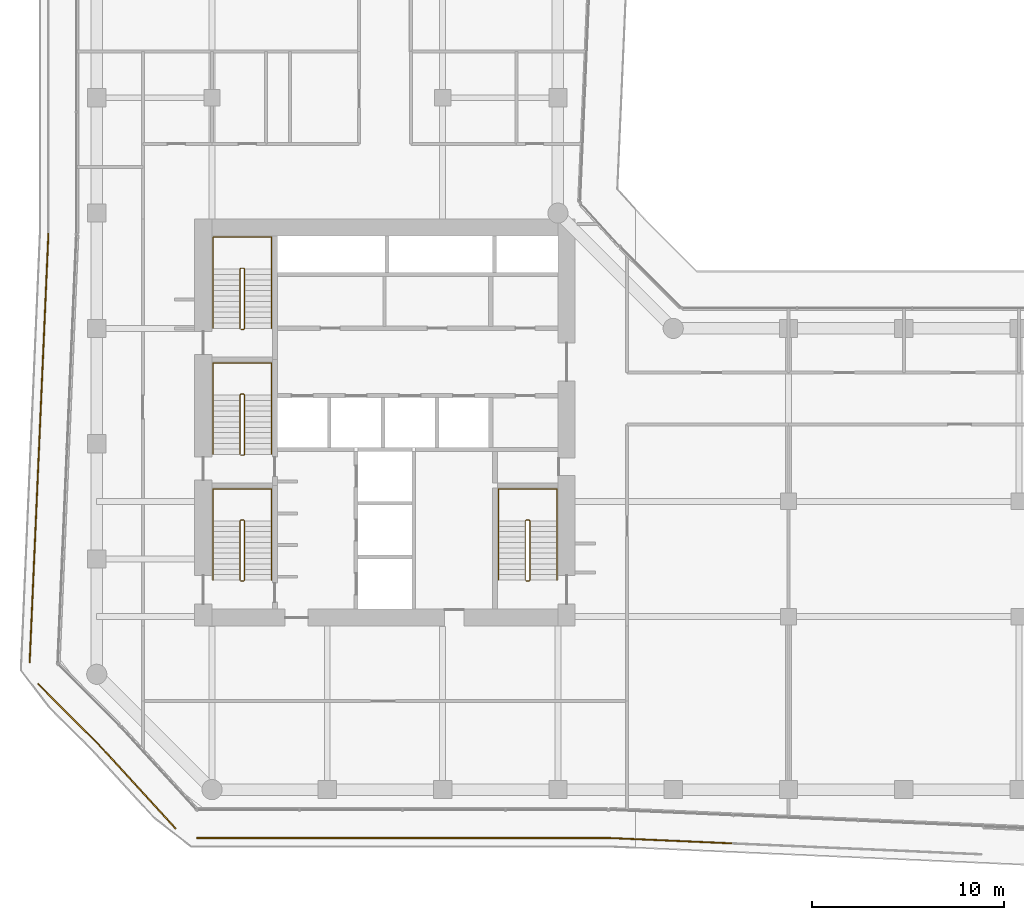
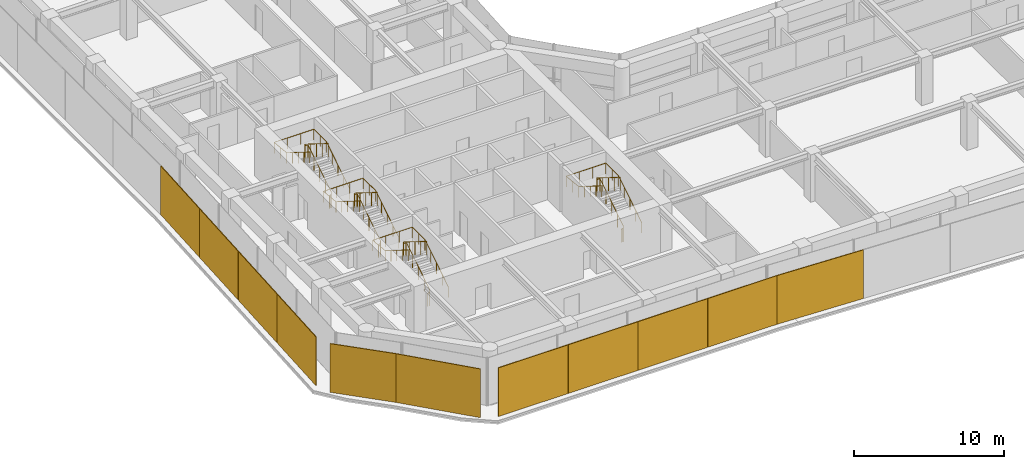
# One storey, part 28 of 29: 11 coverings, 8 railings.
"""IFC4 building model written with IfcOpenShell, lengths in metres."""

import ifcopenshell
import ifcopenshell.guid

model = None  # the IFC model being written
_history = None  # IfcOwnerHistory: only IFC2X3 demands one
_inside = {}  # id of a spatial element -> (the spatial element, [elements in it])
_under = {}  # id of a project, library or spatial element -> (it, [spatial elements below it])
_declared = {}  # id of a project -> (the project, [libraries it declares])
_typed = {}  # id of a type object -> (the type object, [elements of that type])
_made_of = {}  # id of a material, layer set ... -> (it, [elements and type objects made of it])


def new_model(schema):
    """Start an empty IFC model of exactly this schema.

    Asked for "IFC4X3", IfcOpenShell would pick the latest addendum, in which some entities
    have other attributes; the version numbers below select the first issue.
    IFC2X3 requires an IfcOwnerHistory on every rooted entity: one is made here for all.
    """
    global model, _history
    if schema == "IFC4X3":
        model = ifcopenshell.file(schema_version=(4, 3, 0, 0))
    else:
        model = ifcopenshell.file(schema=schema)
    _inside.clear()
    _under.clear()
    _declared.clear()
    _typed.clear()
    _made_of.clear()
    _history = None
    if model.schema == "IFC2X3":
        org = make("IfcOrganization", Name="unknown")
        user = make(
            "IfcPersonAndOrganization",
            ThePerson=make("IfcPerson", FamilyName="unknown"),
            TheOrganization=org,
        )
        app = make(
            "IfcApplication",
            ApplicationDeveloper=org,
            Version="unknown",
            ApplicationFullName="unknown",
            ApplicationIdentifier="unknown",
        )
        _history = make(
            "IfcOwnerHistory",
            OwningUser=user,
            OwningApplication=app,
            ChangeAction="ADDED",
            CreationDate=0,
        )
    return model


def make(cls, **values):
    """One entity of the class cls with the attributes given. An attribute that is None is left unset."""
    return model.create_entity(
        cls, **{name: value for name, value in values.items() if value is not None}
    )


def rooted(cls, **values):
    """An entity with a GlobalId (a new one), such as an element, a storey or a relation."""
    return make(cls, GlobalId=ifcopenshell.guid.new(), OwnerHistory=_history, **values)


def si_unit(unit_type, name, prefix=None):
    """IfcSIUnit, for example si_unit("LENGTHUNIT", "METRE", prefix="MILLI")."""
    return make("IfcSIUnit", UnitType=unit_type, Prefix=prefix, Name=name)


def assignment(units):
    """IfcUnitAssignment: the units of a project."""
    return None if units is None else make("IfcUnitAssignment", Units=units)


def point(xyz):
    """IfcCartesianPoint."""
    return None if xyz is None else make("IfcCartesianPoint", Coordinates=xyz)


def direction(xyz):
    """IfcDirection."""
    return None if xyz is None else make("IfcDirection", DirectionRatios=xyz)


def frame(location, z_axis=None, x_axis=None):
    """IfcAxis2Placement3D, a coordinate frame: its origin and axes. An axis left out is left unset."""
    return make(
        "IfcAxis2Placement3D",
        Location=point(location),
        Axis=direction(z_axis),
        RefDirection=direction(x_axis),
    )


def frame_2d(location, x_axis=None):
    """IfcAxis2Placement2D, a coordinate frame in the plane: its origin and x axis."""
    return make(
        "IfcAxis2Placement2D", Location=point(location), RefDirection=direction(x_axis)
    )


def origin():
    """The frame at (0, 0, 0) with its axes left unset."""
    return frame((0.0, 0.0, 0.0))


def origin_2d():
    """The frame at (0, 0) in the plane with its x axis left unset."""
    return frame_2d((0.0, 0.0))


def place(relative_to, where):
    """IfcLocalPlacement: puts the frame where relative to a parent placement (None: the world)."""
    return make(
        "IfcLocalPlacement", PlacementRelTo=relative_to, RelativePlacement=where
    )


def context(
    kind, dimensions, precision=None, world=None, true_north=None, identifier=None
):
    """IfcGeometricRepresentationContext, for example the 3D "Model" context."""
    return make(
        "IfcGeometricRepresentationContext",
        ContextIdentifier=identifier,
        ContextType=kind,
        CoordinateSpaceDimension=dimensions,
        Precision=precision,
        WorldCoordinateSystem=world,
        TrueNorth=true_north,
    )


def subcontext(parent, identifier, kind, view, scale=None):
    """IfcGeometricRepresentationSubContext, for example "Body" below "Model"."""
    return make(
        "IfcGeometricRepresentationSubContext",
        ContextIdentifier=identifier,
        ContextType=kind,
        ParentContext=parent,
        TargetScale=scale,
        TargetView=view,
    )


def project(units=None, contexts=None):
    """IfcProject with its units and contexts."""
    return rooted(
        "IfcProject",
        Name="project",
        RepresentationContexts=contexts,
        UnitsInContext=assignment(units),
    )


def spatial(cls, under=None, at=None, **own):
    """A site, building, storey or space (cls), placed at a placement, below another one or the project."""
    s = rooted(cls, ObjectPlacement=at, **own)
    if under is not None:
        _under.setdefault(under.id(), (under, []))[1].append(s)
    return s


def profile(cls, at=None, kind="AREA", **sizes):
    """A parametric profile (cls). Its sizes go by their IFC names, for example OverallWidth=200.0."""
    return make(cls, ProfileType=kind, Position=at, **sizes)


def rectangle(**sizes):
    """IfcRectangleProfileDef."""
    return profile("IfcRectangleProfileDef", **sizes)


def circle(**sizes):
    """IfcCircleProfileDef."""
    return profile("IfcCircleProfileDef", **sizes)


def extrude(swept, where, along, depth):
    """IfcExtrudedAreaSolid: the profile swept, set in the frame where, extruded along a direction by depth."""
    return make(
        "IfcExtrudedAreaSolid",
        SweptArea=swept,
        Position=where,
        ExtrudedDirection=direction(along),
        Depth=depth,
    )


def shape(context_of_items, identifier, shape_type, items):
    """IfcShapeRepresentation: the items that make up one representation, for example the "Body"."""
    return make(
        "IfcShapeRepresentation",
        ContextOfItems=context_of_items,
        RepresentationIdentifier=identifier,
        RepresentationType=shape_type,
        Items=items,
    )


def material(Name=None, Category=None):
    """IfcMaterial."""
    return make("IfcMaterial", Name=Name, Category=Category)


def layer(
    of_material, thickness, ventilated=None, Name=None, Category=None, Priority=None
):
    """IfcMaterialLayer: one layer of a wall or slab, of a material (None: an air gap)."""
    return make(
        "IfcMaterialLayer",
        Material=of_material,
        LayerThickness=thickness,
        IsVentilated=ventilated,
        Name=Name,
        Category=Category,
        Priority=Priority,
    )


def layer_set(layers, Name=None):
    """IfcMaterialLayerSet."""
    return make("IfcMaterialLayerSet", MaterialLayers=layers, LayerSetName=Name)


def made_of(thing, what):
    """Note that an element or type object is made of a material, layer set ...; save() writes the relation."""
    if what is not None:
        _made_of.setdefault(what.id(), (what, []))[1].append(thing)
    return thing


def type_object(cls, material=None, **own):
    """A type object (cls), such as IfcWallType, which elements share."""
    return made_of(rooted(cls, **own), material)


def element(
    cls,
    number,
    at=None,
    inside=None,
    cuts=None,
    type_object=None,
    material=None,
    context=None,
    identifier="Body",
    shape_type=None,
    held_by="IfcProductDefinitionShape",
    body=None,
    shapes=None,
    **own,
):
    """One element of the class cls, such as IfcWall. Its Tag is "e" and its number.

    at: its placement. inside: the storey or other place that contains it. cuts: it is an
    opening in that element (IfcRelVoidsElement). A single representation is given by context,
    identifier, shape_type and body (its items); several are given by shapes. held_by: the class
    of the entity that holds the representations. save() writes the other relations.
    """
    e = rooted(cls, Tag="e%d" % number, ObjectPlacement=at, **own)
    if body is not None:
        shapes = [shape(context, identifier, shape_type, body)]
    if shapes is not None:
        e.Representation = make(held_by, Representations=shapes)
    if inside is not None:
        _inside.setdefault(inside.id(), (inside, []))[1].append(e)
    if cuts is not None:
        rooted(
            "IfcRelVoidsElement", RelatingBuildingElement=cuts, RelatedOpeningElement=e
        )
    if type_object is not None:
        _typed.setdefault(type_object.id(), (type_object, []))[1].append(e)
    return made_of(e, material)


def aggregate(whole, parts):
    """IfcRelAggregates: a whole, such as a stair, and the parts it consists of."""
    return rooted("IfcRelAggregates", RelatingObject=whole, RelatedObjects=parts)


def save(model, path):
    """Write the relations noted so far, then the file.

    IfcRelAggregates (storeys below a building ...), IfcRelContainedInSpatialStructure (elements
    in a storey), IfcRelDefinesByType, IfcRelAssociatesMaterial and IfcRelDeclares: one each for
    every whole, place, type object, material and project.
    """
    for whole, parts in _under.values():
        aggregate(whole, parts)
    for where, things in _inside.values():
        rooted(
            "IfcRelContainedInSpatialStructure",
            RelatedElements=things,
            RelatingStructure=where,
        )
    for kind, things in _typed.values():
        rooted("IfcRelDefinesByType", RelatedObjects=things, RelatingType=kind)
    for what, things in _made_of.values():
        rooted("IfcRelAssociatesMaterial", RelatedObjects=things, RelatingMaterial=what)
    for by, libraries in _declared.values():
        rooted("IfcRelDeclares", RelatingContext=by, RelatedDefinitions=libraries)
    model.write(path)


model = new_model("IFC4")

# Units and contexts
model_context = context("Model", 3, precision=1e-05, world=origin(), true_north=direction((0.0, 1.0)))
body_context = subcontext(model_context, "Body", "Model", "MODEL_VIEW")
ifc_project = project(units=[si_unit("LENGTHUNIT", "METRE"), si_unit("AREAUNIT", "SQUARE_METRE"), si_unit("VOLUMEUNIT", "CUBIC_METRE"), si_unit("PLANEANGLEUNIT", "RADIAN"), si_unit("MASSUNIT", "GRAM", prefix="KILO")], contexts=[model_context])

# Site, building, storey
site_placement = place(None, origin())
site = spatial("IfcSite", under=ifc_project, at=site_placement, CompositionType="ELEMENT")
building_placement = place(site_placement, origin())
building = spatial("IfcBuilding", under=site, at=building_placement, Name="Welwitschia Terrace Campus", CompositionType="ELEMENT")
storey_placement = place(building_placement, frame((0.0, 0.0, 41.60009765625)))
storey = spatial("IfcBuildingStorey", under=building, at=storey_placement, Name="L09", CompositionType="ELEMENT", Elevation=41.60009765625)

# Coverings
ifc_material_1 = material(Name="Bronze mesh aluminium screen", Category="aluminium")
ifc_layer = layer(ifc_material_1, 0.06005859375)
ifc_layer_set = layer_set([ifc_layer], Name="Bronze mesh aluminium screen")
covering_type = type_object("IfcCoveringType", Name="Bronze screen 60", PredefinedType="USERDEFINED", material=ifc_layer_set)
for number, where, z_axis, x_axis, name in (
    (1, (-2.63671875, 22.171142578125, 0.0), (0.0, 0.0, 1.0), (-0.043619387365, -0.999048221582, 0.0), "Screen L09.0.0"),
    (2, (-2.880859375, 16.579833984375, 0.0), (0.0, 0.0, 1.0), (-0.043619387365, -0.999048221582, 0.0), "Screen L09.0.1"),
    (3, (-3.125, 10.98876953125, 0.0), (0.0, 0.0, 1.0), (-0.043619387365, -0.999048221582, 0.0), "Screen L09.0.2"),
    (4, (-3.368896484375, 5.3974609375, 0.0), (0.0, 0.0, 1.0), (-0.043619387365, -0.999048221582, 0.0), "Screen L09.0.3"),
):
    element("IfcCovering", number, at=place(storey_placement, frame(where, z_axis=z_axis, x_axis=x_axis)), inside=storey, type_object=covering_type, Name=name, ObjectType="SCREEN", PredefinedType="USERDEFINED", context=body_context, shape_type="SweptSolid", body=[
        extrude(rectangle(XDim=5.57666015625, YDim=0.06005859375, at=origin_2d()), origin(), (0.0, 0.0, 1.0), 3.949951171875),
    ])
covering_1_placement = place(storey_placement, frame((-1.454833984375, -0.103271484375, 0.0), z_axis=(0.0, 0.0, 1.0), x_axis=(0.707106781187, -0.707106781187, 0.0)))
element("IfcCovering", 5, at=covering_1_placement, inside=storey, type_object=covering_type, Name="Screen L09.1.0", ObjectType="SCREEN", PredefinedType="USERDEFINED", context=body_context, shape_type="SweptSolid", body=[
    extrude(rectangle(XDim=4.535400390625, YDim=0.06005859375, at=origin_2d()), origin(), (0.0, 0.0, 1.0), 3.949951171875),
])
covering_2_placement = place(storey_placement, frame((2.1162109375, -3.85546875, 0.0), z_axis=(0.0, 0.0, 1.0), x_axis=(0.675590207616, -0.73727733681, 0.0)))
element("IfcCovering", 6, at=covering_2_placement, inside=storey, type_object=covering_type, Name="Screen L09.2.0", ObjectType="SCREEN", PredefinedType="USERDEFINED", context=body_context, shape_type="SweptSolid", body=[
    extrude(rectangle(XDim=5.914306640625, YDim=0.06005859375, at=origin_2d()), origin(), (0.0, 0.0, 1.0), 3.949951171875),
])
for number, where, z_axis, x_axis, name in (
    (7, (7.874755859375, -6.51611328125, 0.0), (0.0, 0.0, 1.0), (1.0, 0.0, 0.0), "Screen L09.3.0"),
    (8, (13.23291015625, -6.51611328125, 0.0), (0.0, 0.0, 1.0), (1.0, 0.0, 0.0), "Screen L09.3.1"),
    (9, (18.591064453125, -6.51611328125, 0.0), (0.0, 0.0, 1.0), (1.0, 0.0, 0.0), "Screen L09.3.2"),
    (10, (23.94921875, -6.51611328125, 0.0), (0.0, 0.0, 1.0), (1.0, 0.0, 0.0), "Screen L09.3.3"),
):
    element("IfcCovering", number, at=place(storey_placement, frame(where, z_axis=z_axis, x_axis=x_axis)), inside=storey, type_object=covering_type, Name=name, ObjectType="SCREEN", PredefinedType="USERDEFINED", context=body_context, shape_type="SweptSolid", body=[
        extrude(rectangle(XDim=5.338134765625, YDim=0.06005859375, at=origin_2d()), origin(), (0.0, 0.0, 1.0), 3.949951171875),
    ])
covering_3_placement = place(storey_placement, frame((29.814453125, -6.656494140625, 0.0), z_axis=(0.0, 0.0, 1.0), x_axis=(0.999048221582, -0.043619387365, 0.0)))
element("IfcCovering", 11, at=covering_3_placement, inside=storey, type_object=covering_type, Name="Screen L09.4.0", ObjectType="SCREEN", PredefinedType="USERDEFINED", context=body_context, shape_type="SweptSolid", body=[
    extrude(rectangle(XDim=6.48583984375, YDim=0.06005859375, at=origin_2d()), origin(), (0.0, 0.0, 1.0), 3.949951171875),
])

# Railings
ifc_material_2 = material(Name="Steel S355", Category="steel")
railing_type_1 = type_object("IfcRailingType", Name="Stair guard 1100", PredefinedType="GUARDRAIL", material=ifc_material_2)
railing_1_placement = place(storey_placement, frame((7.5, 6.85009765625, 0.0)))
element("IfcRailing", 12, at=railing_1_placement, inside=storey, type_object=railing_type_1, Name="L09 S1 stair guard", PredefinedType="GUARDRAIL", context=body_context, shape_type="SweptSolid", body=[
    extrude(circle(Radius=0.02392578125, at=origin_2d()), frame((0.0, 0.0, 1.076171875), z_axis=(1.0, 0.0, 0.0), x_axis=(0.0, 1.0, 0.0)), (0.0, 0.0, 1.0), 0.14990234375),
    extrude(circle(Radius=0.02392578125, at=origin_2d()), frame((0.14990234375, 0.0, 1.076171875), z_axis=(0.265474339444, 0.264179342666, 0.927217692888), x_axis=(-0.705375805398, 0.708833529934, 0.0)), (0.0, 0.0, 1.0), 0.1884765625),
    extrude(circle(Radius=0.02392578125, at=origin_2d()), frame((0.199951171875, 0.0498046875, 1.2509765625), z_axis=(0.0, 0.847998304005, 0.529998940003), x_axis=(-1.0, 0.0, 0.0)), (0.0, 0.0, 1.0), 3.632080078125),
    extrude(circle(Radius=0.02392578125, at=origin_2d()), frame((0.199951171875, 3.1298828125, 3.17578125), z_axis=(-0.707106781187, 0.707106781187, 0.0), x_axis=(-0.707106781187, -0.707106781187, 0.0)), (0.0, 0.0, 1.0), 0.07080078125),
    extrude(circle(Radius=0.02392578125, at=origin_2d()), frame((0.14990234375, 3.179931640625, 3.17578125), z_axis=(-1.0, 0.0, 0.0), x_axis=(0.0, -1.0, 0.0)), (0.0, 0.0, 1.0), 0.14990234375),
    extrude(circle(Radius=0.02392578125, at=origin_2d()), frame((0.0, 3.179931640625, 3.17578125), z_axis=(-0.265065253269, -0.265065253269, 0.927081885822), x_axis=(0.707106781187, -0.707106781187, 0.0)), (0.0, 0.0, 1.0), 0.188720703125),
    extrude(circle(Radius=0.02392578125, at=origin_2d()), frame((-0.050048828125, 3.1298828125, 3.35107421875), z_axis=(0.0, -0.847998304005, 0.529998940003), x_axis=(1.0, 0.0, 0.0)), (0.0, 0.0, 1.0), 3.632080078125),
    extrude(circle(Radius=0.02099609375, at=origin_2d()), origin(), (0.0, 0.0, 1.0), 1.052001953125),
    extrude(circle(Radius=0.02099609375, at=origin_2d()), frame((0.14990234375, 0.0, 0.0)), (0.0, 0.0, 1.0), 1.052001953125),
    extrude(circle(Radius=0.02099609375, at=origin_2d()), frame((0.199951171875, 0.0498046875, 0.1748046875)), (0.0, 0.0, 1.0), 1.052001953125),
    extrude(circle(Radius=0.02099609375, at=origin_2d()), frame((0.199951171875, 0.81982421875, 0.656005859375)), (0.0, 0.0, 1.0), 1.052001953125),
    extrude(circle(Radius=0.02099609375, at=origin_2d()), frame((0.199951171875, 1.58984375, 1.13720703125)), (0.0, 0.0, 1.0), 1.052001953125),
    extrude(circle(Radius=0.02099609375, at=origin_2d()), frame((0.199951171875, 2.35986328125, 1.61865234375)), (0.0, 0.0, 1.0), 1.052001953125),
    extrude(circle(Radius=0.02099609375, at=origin_2d()), frame((0.199951171875, 3.1298828125, 2.099853515625)), (0.0, 0.0, 1.0), 1.052001953125),
    extrude(circle(Radius=0.02099609375, at=origin_2d()), frame((0.14990234375, 3.179931640625, 2.099853515625)), (0.0, 0.0, 1.0), 1.052001953125),
    extrude(circle(Radius=0.02099609375, at=origin_2d()), frame((0.0, 3.179931640625, 2.099853515625)), (0.0, 0.0, 1.0), 1.052001953125),
    extrude(circle(Radius=0.02099609375, at=origin_2d()), frame((-0.050048828125, 3.1298828125, 2.27490234375)), (0.0, 0.0, 1.0), 1.052001953125),
    extrude(circle(Radius=0.02099609375, at=origin_2d()), frame((-0.050048828125, 2.35986328125, 2.756103515625)), (0.0, 0.0, 1.0), 1.052001953125),
    extrude(circle(Radius=0.02099609375, at=origin_2d()), frame((-0.050048828125, 1.58984375, 3.2373046875)), (0.0, 0.0, 1.0), 1.052001953125),
    extrude(circle(Radius=0.02099609375, at=origin_2d()), frame((-0.050048828125, 0.81982421875, 3.71875)), (0.0, 0.0, 1.0), 1.052001953125),
    extrude(circle(Radius=0.02099609375, at=origin_2d()), frame((-0.050048828125, 0.0498046875, 4.199951171875)), (0.0, 0.0, 1.0), 1.052001953125),
])
railing_2_placement = place(storey_placement, frame((7.5, 13.39990234375, 0.0)))
element("IfcRailing", 13, at=railing_2_placement, inside=storey, type_object=railing_type_1, Name="L09 S3 stair guard", PredefinedType="GUARDRAIL", context=body_context, shape_type="SweptSolid", body=[
    extrude(circle(Radius=0.02392578125, at=origin_2d()), frame((0.0, 0.0, 1.076171875), z_axis=(1.0, 0.0, 0.0), x_axis=(0.0, 1.0, 0.0)), (0.0, 0.0, 1.0), 0.14990234375),
    extrude(circle(Radius=0.02392578125, at=origin_2d()), frame((0.14990234375, 0.0, 1.076171875), z_axis=(0.265383341853, 0.265383341853, 0.926899867156), x_axis=(-0.707106781187, 0.707106781187, 0.0)), (0.0, 0.0, 1.0), 0.1884765625),
    extrude(circle(Radius=0.02392578125, at=origin_2d()), frame((0.199951171875, 0.050048828125, 1.2509765625), z_axis=(0.0, 0.847998304005, 0.529998940003), x_axis=(-1.0, 0.0, 0.0)), (0.0, 0.0, 1.0), 3.632080078125),
    extrude(circle(Radius=0.02392578125, at=origin_2d()), frame((0.199951171875, 3.130126953125, 3.17578125), z_axis=(-0.707106781187, 0.707106781187, 0.0), x_axis=(-0.707106781187, -0.707106781187, 0.0)), (0.0, 0.0, 1.0), 0.07080078125),
    extrude(circle(Radius=0.02392578125, at=origin_2d()), frame((0.14990234375, 3.18017578125, 3.17578125), z_axis=(-1.0, 0.0, 0.0), x_axis=(0.0, -1.0, 0.0)), (0.0, 0.0, 1.0), 0.14990234375),
    extrude(circle(Radius=0.02392578125, at=origin_2d()), frame((0.0, 3.18017578125, 3.17578125), z_axis=(-0.265065253269, -0.265065253269, 0.927081885822), x_axis=(0.707106781187, -0.707106781187, 0.0)), (0.0, 0.0, 1.0), 0.188720703125),
    extrude(circle(Radius=0.02392578125, at=origin_2d()), frame((-0.050048828125, 3.130126953125, 3.35107421875), z_axis=(0.0, -0.847998304005, 0.529998940003), x_axis=(1.0, 0.0, 0.0)), (0.0, 0.0, 1.0), 3.632080078125),
    extrude(circle(Radius=0.02099609375, at=origin_2d()), origin(), (0.0, 0.0, 1.0), 1.052001953125),
    extrude(circle(Radius=0.02099609375, at=origin_2d()), frame((0.14990234375, 0.0, 0.0)), (0.0, 0.0, 1.0), 1.052001953125),
    extrude(circle(Radius=0.02099609375, at=origin_2d()), frame((0.199951171875, 0.050048828125, 0.1748046875)), (0.0, 0.0, 1.0), 1.052001953125),
    extrude(circle(Radius=0.02099609375, at=origin_2d()), frame((0.199951171875, 0.820068359375, 0.656005859375)), (0.0, 0.0, 1.0), 1.052001953125),
    extrude(circle(Radius=0.02099609375, at=origin_2d()), frame((0.199951171875, 1.590087890625, 1.13720703125)), (0.0, 0.0, 1.0), 1.052001953125),
    extrude(circle(Radius=0.02099609375, at=origin_2d()), frame((0.199951171875, 2.360107421875, 1.61865234375)), (0.0, 0.0, 1.0), 1.052001953125),
    extrude(circle(Radius=0.02099609375, at=origin_2d()), frame((0.199951171875, 3.130126953125, 2.099853515625)), (0.0, 0.0, 1.0), 1.052001953125),
    extrude(circle(Radius=0.02099609375, at=origin_2d()), frame((0.14990234375, 3.18017578125, 2.099853515625)), (0.0, 0.0, 1.0), 1.052001953125),
    extrude(circle(Radius=0.02099609375, at=origin_2d()), frame((0.0, 3.18017578125, 2.099853515625)), (0.0, 0.0, 1.0), 1.052001953125),
    extrude(circle(Radius=0.02099609375, at=origin_2d()), frame((-0.050048828125, 3.130126953125, 2.27490234375)), (0.0, 0.0, 1.0), 1.052001953125),
    extrude(circle(Radius=0.02099609375, at=origin_2d()), frame((-0.050048828125, 2.360107421875, 2.756103515625)), (0.0, 0.0, 1.0), 1.052001953125),
    extrude(circle(Radius=0.02099609375, at=origin_2d()), frame((-0.050048828125, 1.590087890625, 3.2373046875)), (0.0, 0.0, 1.0), 1.052001953125),
    extrude(circle(Radius=0.02099609375, at=origin_2d()), frame((-0.050048828125, 0.820068359375, 3.71875)), (0.0, 0.0, 1.0), 1.052001953125),
    extrude(circle(Radius=0.02099609375, at=origin_2d()), frame((-0.050048828125, 0.050048828125, 4.199951171875)), (0.0, 0.0, 1.0), 1.052001953125),
])
railing_3_placement = place(storey_placement, frame((7.5, 19.949951171875, 0.0)))
element("IfcRailing", 14, at=railing_3_placement, inside=storey, type_object=railing_type_1, Name="L09 S4 stair guard", PredefinedType="GUARDRAIL", context=body_context, shape_type="SweptSolid", body=[
    extrude(circle(Radius=0.02392578125, at=origin_2d()), frame((0.0, 0.0, 1.076171875), z_axis=(1.0, 0.0, 0.0), x_axis=(0.0, 1.0, 0.0)), (0.0, 0.0, 1.0), 0.14990234375),
    extrude(circle(Radius=0.02392578125, at=origin_2d()), frame((0.14990234375, 0.0, 1.076171875), z_axis=(0.265383341853, 0.265383341853, 0.926899867156), x_axis=(-0.707106781187, 0.707106781187, 0.0)), (0.0, 0.0, 1.0), 0.1884765625),
    extrude(circle(Radius=0.02392578125, at=origin_2d()), frame((0.199951171875, 0.050048828125, 1.2509765625), z_axis=(0.0, 0.847998304005, 0.529998940003), x_axis=(-1.0, 0.0, 0.0)), (0.0, 0.0, 1.0), 3.632080078125),
    extrude(circle(Radius=0.02392578125, at=origin_2d()), frame((0.199951171875, 3.130126953125, 3.17578125), z_axis=(-0.708833529934, 0.705375805398, 0.0), x_axis=(-0.705375805398, -0.708833529934, 0.0)), (0.0, 0.0, 1.0), 0.070556640625),
    extrude(circle(Radius=0.02392578125, at=origin_2d()), frame((0.14990234375, 3.179931640625, 3.17578125), z_axis=(-1.0, 0.0, 0.0), x_axis=(0.0, -1.0, 0.0)), (0.0, 0.0, 1.0), 0.14990234375),
    extrude(circle(Radius=0.02392578125, at=origin_2d()), frame((0.0, 3.179931640625, 3.17578125), z_axis=(-0.265155923931, -0.263862480399, 0.927399011991), x_axis=(0.705375805398, -0.708833529934, 0.0)), (0.0, 0.0, 1.0), 0.188720703125),
    extrude(circle(Radius=0.02392578125, at=origin_2d()), frame((-0.050048828125, 3.130126953125, 3.35107421875), z_axis=(0.0, -0.847998304005, 0.529998940003), x_axis=(1.0, 0.0, 0.0)), (0.0, 0.0, 1.0), 3.632080078125),
    extrude(circle(Radius=0.02099609375, at=origin_2d()), origin(), (0.0, 0.0, 1.0), 1.052001953125),
    extrude(circle(Radius=0.02099609375, at=origin_2d()), frame((0.14990234375, 0.0, 0.0)), (0.0, 0.0, 1.0), 1.052001953125),
    extrude(circle(Radius=0.02099609375, at=origin_2d()), frame((0.199951171875, 0.050048828125, 0.1748046875)), (0.0, 0.0, 1.0), 1.052001953125),
    extrude(circle(Radius=0.02099609375, at=origin_2d()), frame((0.199951171875, 0.820068359375, 0.656005859375)), (0.0, 0.0, 1.0), 1.052001953125),
    extrude(circle(Radius=0.02099609375, at=origin_2d()), frame((0.199951171875, 1.590087890625, 1.13720703125)), (0.0, 0.0, 1.0), 1.052001953125),
    extrude(circle(Radius=0.02099609375, at=origin_2d()), frame((0.199951171875, 2.360107421875, 1.61865234375)), (0.0, 0.0, 1.0), 1.052001953125),
    extrude(circle(Radius=0.02099609375, at=origin_2d()), frame((0.199951171875, 3.130126953125, 2.099853515625)), (0.0, 0.0, 1.0), 1.052001953125),
    extrude(circle(Radius=0.02099609375, at=origin_2d()), frame((0.14990234375, 3.179931640625, 2.099853515625)), (0.0, 0.0, 1.0), 1.052001953125),
    extrude(circle(Radius=0.02099609375, at=origin_2d()), frame((0.0, 3.179931640625, 2.099853515625)), (0.0, 0.0, 1.0), 1.052001953125),
    extrude(circle(Radius=0.02099609375, at=origin_2d()), frame((-0.050048828125, 3.130126953125, 2.27490234375)), (0.0, 0.0, 1.0), 1.052001953125),
    extrude(circle(Radius=0.02099609375, at=origin_2d()), frame((-0.050048828125, 2.360107421875, 2.756103515625)), (0.0, 0.0, 1.0), 1.052001953125),
    extrude(circle(Radius=0.02099609375, at=origin_2d()), frame((-0.050048828125, 1.590087890625, 3.2373046875)), (0.0, 0.0, 1.0), 1.052001953125),
    extrude(circle(Radius=0.02099609375, at=origin_2d()), frame((-0.050048828125, 0.820068359375, 3.71875)), (0.0, 0.0, 1.0), 1.052001953125),
    extrude(circle(Radius=0.02099609375, at=origin_2d()), frame((-0.050048828125, 0.050048828125, 4.199951171875)), (0.0, 0.0, 1.0), 1.052001953125),
])
railing_4_placement = place(storey_placement, frame((22.35009765625, 6.85009765625, 0.0)))
element("IfcRailing", 15, at=railing_4_placement, inside=storey, type_object=railing_type_1, Name="L09 S2 stair guard", PredefinedType="GUARDRAIL", context=body_context, shape_type="SweptSolid", body=[
    extrude(circle(Radius=0.02392578125, at=origin_2d()), frame((0.0, 0.0, 1.076171875), z_axis=(1.0, 0.0, 0.0), x_axis=(0.0, 1.0, 0.0)), (0.0, 0.0, 1.0), 0.14990234375),
    extrude(circle(Radius=0.02392578125, at=origin_2d()), frame((0.14990234375, 0.0, 1.076171875), z_axis=(0.265474339444, 0.264179342666, 0.927217692888), x_axis=(-0.705375805398, 0.708833529934, 0.0)), (0.0, 0.0, 1.0), 0.1884765625),
    extrude(circle(Radius=0.02392578125, at=origin_2d()), frame((0.199951171875, 0.0498046875, 1.2509765625), z_axis=(0.0, 0.847998304005, 0.529998940003), x_axis=(-1.0, 0.0, 0.0)), (0.0, 0.0, 1.0), 3.632080078125),
    extrude(circle(Radius=0.02392578125, at=origin_2d()), frame((0.199951171875, 3.1298828125, 3.17578125), z_axis=(-0.707106781187, 0.707106781187, 0.0), x_axis=(-0.707106781187, -0.707106781187, 0.0)), (0.0, 0.0, 1.0), 0.07080078125),
    extrude(circle(Radius=0.02392578125, at=origin_2d()), frame((0.14990234375, 3.179931640625, 3.17578125), z_axis=(-1.0, 0.0, 0.0), x_axis=(0.0, -1.0, 0.0)), (0.0, 0.0, 1.0), 0.14990234375),
    extrude(circle(Radius=0.02392578125, at=origin_2d()), frame((0.0, 3.179931640625, 3.17578125), z_axis=(-0.265065253269, -0.265065253269, 0.927081885822), x_axis=(0.707106781187, -0.707106781187, 0.0)), (0.0, 0.0, 1.0), 0.188720703125),
    extrude(circle(Radius=0.02392578125, at=origin_2d()), frame((-0.050048828125, 3.1298828125, 3.35107421875), z_axis=(0.0, -0.847998304005, 0.529998940003), x_axis=(1.0, 0.0, 0.0)), (0.0, 0.0, 1.0), 3.632080078125),
    extrude(circle(Radius=0.02099609375, at=origin_2d()), origin(), (0.0, 0.0, 1.0), 1.052001953125),
    extrude(circle(Radius=0.02099609375, at=origin_2d()), frame((0.14990234375, 0.0, 0.0)), (0.0, 0.0, 1.0), 1.052001953125),
    extrude(circle(Radius=0.02099609375, at=origin_2d()), frame((0.199951171875, 0.0498046875, 0.1748046875)), (0.0, 0.0, 1.0), 1.052001953125),
    extrude(circle(Radius=0.02099609375, at=origin_2d()), frame((0.199951171875, 0.81982421875, 0.656005859375)), (0.0, 0.0, 1.0), 1.052001953125),
    extrude(circle(Radius=0.02099609375, at=origin_2d()), frame((0.199951171875, 1.58984375, 1.13720703125)), (0.0, 0.0, 1.0), 1.052001953125),
    extrude(circle(Radius=0.02099609375, at=origin_2d()), frame((0.199951171875, 2.35986328125, 1.61865234375)), (0.0, 0.0, 1.0), 1.052001953125),
    extrude(circle(Radius=0.02099609375, at=origin_2d()), frame((0.199951171875, 3.1298828125, 2.099853515625)), (0.0, 0.0, 1.0), 1.052001953125),
    extrude(circle(Radius=0.02099609375, at=origin_2d()), frame((0.14990234375, 3.179931640625, 2.099853515625)), (0.0, 0.0, 1.0), 1.052001953125),
    extrude(circle(Radius=0.02099609375, at=origin_2d()), frame((0.0, 3.179931640625, 2.099853515625)), (0.0, 0.0, 1.0), 1.052001953125),
    extrude(circle(Radius=0.02099609375, at=origin_2d()), frame((-0.050048828125, 3.1298828125, 2.27490234375)), (0.0, 0.0, 1.0), 1.052001953125),
    extrude(circle(Radius=0.02099609375, at=origin_2d()), frame((-0.050048828125, 2.35986328125, 2.756103515625)), (0.0, 0.0, 1.0), 1.052001953125),
    extrude(circle(Radius=0.02099609375, at=origin_2d()), frame((-0.050048828125, 1.58984375, 3.2373046875)), (0.0, 0.0, 1.0), 1.052001953125),
    extrude(circle(Radius=0.02099609375, at=origin_2d()), frame((-0.050048828125, 0.81982421875, 3.71875)), (0.0, 0.0, 1.0), 1.052001953125),
    extrude(circle(Radius=0.02099609375, at=origin_2d()), frame((-0.050048828125, 0.0498046875, 4.199951171875)), (0.0, 0.0, 1.0), 1.052001953125),
])
ifc_material_3 = material(Name="Steel S355", Category="steel")
railing_type_2 = type_object("IfcRailingType", Name="Stair handrail 900", PredefinedType="HANDRAIL", material=ifc_material_3)
railing_5_placement = place(storey_placement, frame((9.10009765625, 6.89990234375, 0.1748046875)))
element("IfcRailing", 16, at=railing_5_placement, inside=storey, type_object=railing_type_2, Name="L09 S1 stair handrail", PredefinedType="HANDRAIL", context=body_context, shape_type="SweptSolid", body=[
    extrude(circle(Radius=0.02392578125, at=origin_2d()), frame((0.0, 0.0, 0.8759765625), z_axis=(0.0, 0.847998304005, 0.529998940003), x_axis=(-1.0, 0.0, 0.0)), (0.0, 0.0, 1.0), 3.632080078125),
    extrude(circle(Radius=0.02392578125, at=origin_2d()), frame((0.0, 3.080078125, 2.80078125), z_axis=(0.0, 1.0, 0.0), x_axis=(-1.0, 0.0, 0.0)), (0.0, 0.0, 1.0), 1.669921875),
    extrude(circle(Radius=0.02392578125, at=origin_2d()), frame((0.0, 4.75, 2.80078125), z_axis=(-1.0, 0.0, 0.0), x_axis=(0.0, -1.0, 0.0)), (0.0, 0.0, 1.0), 3.050048828125),
    extrude(circle(Radius=0.02392578125, at=origin_2d()), frame((-3.050048828125, 4.75, 2.80078125), z_axis=(0.0, -0.99455077262, 0.104253348533), x_axis=(1.0, 0.0, 0.0)), (0.0, 0.0, 1.0), 1.678955078125),
    extrude(circle(Radius=0.02392578125, at=origin_2d()), frame((-3.050048828125, 3.080078125, 2.97607421875), z_axis=(0.0, -0.847998304005, 0.529998940003), x_axis=(1.0, 0.0, 0.0)), (0.0, 0.0, 1.0), 3.632080078125),
    extrude(circle(Radius=0.02099609375, at=origin_2d()), origin(), (0.0, 0.0, 1.0), 0.851806640625),
    extrude(circle(Radius=0.02099609375, at=origin_2d()), frame((0.0, 0.77001953125, 0.481201171875)), (0.0, 0.0, 1.0), 0.851806640625),
    extrude(circle(Radius=0.02099609375, at=origin_2d()), frame((0.0, 1.5400390625, 0.96240234375)), (0.0, 0.0, 1.0), 0.851806640625),
    extrude(circle(Radius=0.02099609375, at=origin_2d()), frame((0.0, 2.31005859375, 1.44384765625)), (0.0, 0.0, 1.0), 0.851806640625),
    extrude(circle(Radius=0.02099609375, at=origin_2d()), frame((0.0, 3.080078125, 1.925048828125)), (0.0, 0.0, 1.0), 0.851806640625),
    extrude(circle(Radius=0.02099609375, at=origin_2d()), frame((0.0, 3.9150390625, 1.925048828125)), (0.0, 0.0, 1.0), 0.851806640625),
    extrude(circle(Radius=0.02099609375, at=origin_2d()), frame((0.0, 4.75, 1.925048828125)), (0.0, 0.0, 1.0), 0.851806640625),
    extrude(circle(Radius=0.02099609375, at=origin_2d()), frame((-1.0166015625, 4.75, 1.925048828125)), (0.0, 0.0, 1.0), 0.851806640625),
    extrude(circle(Radius=0.02099609375, at=origin_2d()), frame((-2.033447265625, 4.75, 1.925048828125)), (0.0, 0.0, 1.0), 0.851806640625),
    extrude(circle(Radius=0.02099609375, at=origin_2d()), frame((-3.050048828125, 4.75, 1.925048828125)), (0.0, 0.0, 1.0), 0.851806640625),
    extrude(circle(Radius=0.02099609375, at=origin_2d()), frame((-3.050048828125, 3.9150390625, 2.0126953125)), (0.0, 0.0, 1.0), 0.851806640625),
    extrude(circle(Radius=0.02099609375, at=origin_2d()), frame((-3.050048828125, 3.080078125, 2.10009765625)), (0.0, 0.0, 1.0), 0.851806640625),
    extrude(circle(Radius=0.02099609375, at=origin_2d()), frame((-3.050048828125, 2.31005859375, 2.581298828125)), (0.0, 0.0, 1.0), 0.851806640625),
    extrude(circle(Radius=0.02099609375, at=origin_2d()), frame((-3.050048828125, 1.5400390625, 3.0625)), (0.0, 0.0, 1.0), 0.851806640625),
    extrude(circle(Radius=0.02099609375, at=origin_2d()), frame((-3.050048828125, 0.77001953125, 3.5439453125)), (0.0, 0.0, 1.0), 0.851806640625),
    extrude(circle(Radius=0.02099609375, at=origin_2d()), frame((-3.050048828125, 0.0, 4.025146484375)), (0.0, 0.0, 1.0), 0.851806640625),
])
railing_6_placement = place(storey_placement, frame((9.10009765625, 13.449951171875, 0.1748046875)))
element("IfcRailing", 17, at=railing_6_placement, inside=storey, type_object=railing_type_2, Name="L09 S3 stair handrail", PredefinedType="HANDRAIL", context=body_context, shape_type="SweptSolid", body=[
    extrude(circle(Radius=0.02392578125, at=origin_2d()), frame((0.0, 0.0, 0.8759765625), z_axis=(0.0, 0.847998304005, 0.529998940003), x_axis=(-1.0, 0.0, 0.0)), (0.0, 0.0, 1.0), 3.632080078125),
    extrude(circle(Radius=0.02392578125, at=origin_2d()), frame((0.0, 3.080078125, 2.80078125), z_axis=(0.0, 1.0, 0.0), x_axis=(-1.0, 0.0, 0.0)), (0.0, 0.0, 1.0), 1.669921875),
    extrude(circle(Radius=0.02392578125, at=origin_2d()), frame((0.0, 4.75, 2.80078125), z_axis=(-1.0, 0.0, 0.0), x_axis=(0.0, -1.0, 0.0)), (0.0, 0.0, 1.0), 3.050048828125),
    extrude(circle(Radius=0.02392578125, at=origin_2d()), frame((-3.050048828125, 4.75, 2.80078125), z_axis=(0.0, -0.99455077262, 0.104253348533), x_axis=(1.0, 0.0, 0.0)), (0.0, 0.0, 1.0), 1.678955078125),
    extrude(circle(Radius=0.02392578125, at=origin_2d()), frame((-3.050048828125, 3.080078125, 2.97607421875), z_axis=(0.0, -0.847998304005, 0.529998940003), x_axis=(1.0, 0.0, 0.0)), (0.0, 0.0, 1.0), 3.632080078125),
    extrude(circle(Radius=0.02099609375, at=origin_2d()), origin(), (0.0, 0.0, 1.0), 0.851806640625),
    extrude(circle(Radius=0.02099609375, at=origin_2d()), frame((0.0, 0.77001953125, 0.481201171875)), (0.0, 0.0, 1.0), 0.851806640625),
    extrude(circle(Radius=0.02099609375, at=origin_2d()), frame((0.0, 1.5400390625, 0.96240234375)), (0.0, 0.0, 1.0), 0.851806640625),
    extrude(circle(Radius=0.02099609375, at=origin_2d()), frame((0.0, 2.31005859375, 1.44384765625)), (0.0, 0.0, 1.0), 0.851806640625),
    extrude(circle(Radius=0.02099609375, at=origin_2d()), frame((0.0, 3.080078125, 1.925048828125)), (0.0, 0.0, 1.0), 0.851806640625),
    extrude(circle(Radius=0.02099609375, at=origin_2d()), frame((0.0, 3.9150390625, 1.925048828125)), (0.0, 0.0, 1.0), 0.851806640625),
    extrude(circle(Radius=0.02099609375, at=origin_2d()), frame((0.0, 4.75, 1.925048828125)), (0.0, 0.0, 1.0), 0.851806640625),
    extrude(circle(Radius=0.02099609375, at=origin_2d()), frame((-1.0166015625, 4.75, 1.925048828125)), (0.0, 0.0, 1.0), 0.851806640625),
    extrude(circle(Radius=0.02099609375, at=origin_2d()), frame((-2.033447265625, 4.75, 1.925048828125)), (0.0, 0.0, 1.0), 0.851806640625),
    extrude(circle(Radius=0.02099609375, at=origin_2d()), frame((-3.050048828125, 4.75, 1.925048828125)), (0.0, 0.0, 1.0), 0.851806640625),
    extrude(circle(Radius=0.02099609375, at=origin_2d()), frame((-3.050048828125, 3.9150390625, 2.0126953125)), (0.0, 0.0, 1.0), 0.851806640625),
    extrude(circle(Radius=0.02099609375, at=origin_2d()), frame((-3.050048828125, 3.080078125, 2.10009765625)), (0.0, 0.0, 1.0), 0.851806640625),
    extrude(circle(Radius=0.02099609375, at=origin_2d()), frame((-3.050048828125, 2.31005859375, 2.581298828125)), (0.0, 0.0, 1.0), 0.851806640625),
    extrude(circle(Radius=0.02099609375, at=origin_2d()), frame((-3.050048828125, 1.5400390625, 3.0625)), (0.0, 0.0, 1.0), 0.851806640625),
    extrude(circle(Radius=0.02099609375, at=origin_2d()), frame((-3.050048828125, 0.77001953125, 3.5439453125)), (0.0, 0.0, 1.0), 0.851806640625),
    extrude(circle(Radius=0.02099609375, at=origin_2d()), frame((-3.050048828125, 0.0, 4.025146484375)), (0.0, 0.0, 1.0), 0.851806640625),
])
railing_7_placement = place(storey_placement, frame((9.10009765625, 20.0, 0.1748046875)))
element("IfcRailing", 18, at=railing_7_placement, inside=storey, type_object=railing_type_2, Name="L09 S4 stair handrail", PredefinedType="HANDRAIL", context=body_context, shape_type="SweptSolid", body=[
    extrude(circle(Radius=0.02392578125, at=origin_2d()), frame((0.0, 0.0, 0.8759765625), z_axis=(0.0, 0.847998304005, 0.529998940003), x_axis=(-1.0, 0.0, 0.0)), (0.0, 0.0, 1.0), 3.632080078125),
    extrude(circle(Radius=0.02392578125, at=origin_2d()), frame((0.0, 3.080078125, 2.80078125), z_axis=(0.0, 1.0, 0.0), x_axis=(-1.0, 0.0, 0.0)), (0.0, 0.0, 1.0), 1.669921875),
    extrude(circle(Radius=0.02392578125, at=origin_2d()), frame((0.0, 4.75, 2.80078125), z_axis=(-1.0, 0.0, 0.0), x_axis=(0.0, -1.0, 0.0)), (0.0, 0.0, 1.0), 3.050048828125),
    extrude(circle(Radius=0.02392578125, at=origin_2d()), frame((-3.050048828125, 4.75, 2.80078125), z_axis=(0.0, -0.99455077262, 0.104253348533), x_axis=(1.0, 0.0, 0.0)), (0.0, 0.0, 1.0), 1.678955078125),
    extrude(circle(Radius=0.02392578125, at=origin_2d()), frame((-3.050048828125, 3.080078125, 2.97607421875), z_axis=(0.0, -0.847998304005, 0.529998940003), x_axis=(1.0, 0.0, 0.0)), (0.0, 0.0, 1.0), 3.632080078125),
    extrude(circle(Radius=0.02099609375, at=origin_2d()), origin(), (0.0, 0.0, 1.0), 0.851806640625),
    extrude(circle(Radius=0.02099609375, at=origin_2d()), frame((0.0, 0.77001953125, 0.481201171875)), (0.0, 0.0, 1.0), 0.851806640625),
    extrude(circle(Radius=0.02099609375, at=origin_2d()), frame((0.0, 1.5400390625, 0.96240234375)), (0.0, 0.0, 1.0), 0.851806640625),
    extrude(circle(Radius=0.02099609375, at=origin_2d()), frame((0.0, 2.31005859375, 1.44384765625)), (0.0, 0.0, 1.0), 0.851806640625),
    extrude(circle(Radius=0.02099609375, at=origin_2d()), frame((0.0, 3.080078125, 1.925048828125)), (0.0, 0.0, 1.0), 0.851806640625),
    extrude(circle(Radius=0.02099609375, at=origin_2d()), frame((0.0, 3.9150390625, 1.925048828125)), (0.0, 0.0, 1.0), 0.851806640625),
    extrude(circle(Radius=0.02099609375, at=origin_2d()), frame((0.0, 4.75, 1.925048828125)), (0.0, 0.0, 1.0), 0.851806640625),
    extrude(circle(Radius=0.02099609375, at=origin_2d()), frame((-1.0166015625, 4.75, 1.925048828125)), (0.0, 0.0, 1.0), 0.851806640625),
    extrude(circle(Radius=0.02099609375, at=origin_2d()), frame((-2.033447265625, 4.75, 1.925048828125)), (0.0, 0.0, 1.0), 0.851806640625),
    extrude(circle(Radius=0.02099609375, at=origin_2d()), frame((-3.050048828125, 4.75, 1.925048828125)), (0.0, 0.0, 1.0), 0.851806640625),
    extrude(circle(Radius=0.02099609375, at=origin_2d()), frame((-3.050048828125, 3.9150390625, 2.0126953125)), (0.0, 0.0, 1.0), 0.851806640625),
    extrude(circle(Radius=0.02099609375, at=origin_2d()), frame((-3.050048828125, 3.080078125, 2.10009765625)), (0.0, 0.0, 1.0), 0.851806640625),
    extrude(circle(Radius=0.02099609375, at=origin_2d()), frame((-3.050048828125, 2.31005859375, 2.581298828125)), (0.0, 0.0, 1.0), 0.851806640625),
    extrude(circle(Radius=0.02099609375, at=origin_2d()), frame((-3.050048828125, 1.5400390625, 3.0625)), (0.0, 0.0, 1.0), 0.851806640625),
    extrude(circle(Radius=0.02099609375, at=origin_2d()), frame((-3.050048828125, 0.77001953125, 3.5439453125)), (0.0, 0.0, 1.0), 0.851806640625),
    extrude(circle(Radius=0.02099609375, at=origin_2d()), frame((-3.050048828125, 0.0, 4.025146484375)), (0.0, 0.0, 1.0), 0.851806640625),
])
railing_8_placement = place(storey_placement, frame((23.949951171875, 6.89990234375, 0.1748046875)))
element("IfcRailing", 19, at=railing_8_placement, inside=storey, type_object=railing_type_2, Name="L09 S2 stair handrail", PredefinedType="HANDRAIL", context=body_context, shape_type="SweptSolid", body=[
    extrude(circle(Radius=0.02392578125, at=origin_2d()), frame((0.0, 0.0, 0.8759765625), z_axis=(0.0, 0.847998304005, 0.529998940003), x_axis=(-1.0, 0.0, 0.0)), (0.0, 0.0, 1.0), 3.632080078125),
    extrude(circle(Radius=0.02392578125, at=origin_2d()), frame((0.0, 3.080078125, 2.80078125), z_axis=(0.0, 1.0, 0.0), x_axis=(-1.0, 0.0, 0.0)), (0.0, 0.0, 1.0), 1.669921875),
    extrude(circle(Radius=0.02392578125, at=origin_2d()), frame((0.0, 4.75, 2.80078125), z_axis=(-1.0, 0.0, 0.0), x_axis=(0.0, -1.0, 0.0)), (0.0, 0.0, 1.0), 3.050048828125),
    extrude(circle(Radius=0.02392578125, at=origin_2d()), frame((-3.050048828125, 4.75, 2.80078125), z_axis=(0.0, -0.99455077262, 0.104253348533), x_axis=(1.0, 0.0, 0.0)), (0.0, 0.0, 1.0), 1.678955078125),
    extrude(circle(Radius=0.02392578125, at=origin_2d()), frame((-3.050048828125, 3.080078125, 2.97607421875), z_axis=(0.0, -0.847998304005, 0.529998940003), x_axis=(1.0, 0.0, 0.0)), (0.0, 0.0, 1.0), 3.632080078125),
    extrude(circle(Radius=0.02099609375, at=origin_2d()), origin(), (0.0, 0.0, 1.0), 0.851806640625),
    extrude(circle(Radius=0.02099609375, at=origin_2d()), frame((0.0, 0.77001953125, 0.481201171875)), (0.0, 0.0, 1.0), 0.851806640625),
    extrude(circle(Radius=0.02099609375, at=origin_2d()), frame((0.0, 1.5400390625, 0.96240234375)), (0.0, 0.0, 1.0), 0.851806640625),
    extrude(circle(Radius=0.02099609375, at=origin_2d()), frame((0.0, 2.31005859375, 1.44384765625)), (0.0, 0.0, 1.0), 0.851806640625),
    extrude(circle(Radius=0.02099609375, at=origin_2d()), frame((0.0, 3.080078125, 1.925048828125)), (0.0, 0.0, 1.0), 0.851806640625),
    extrude(circle(Radius=0.02099609375, at=origin_2d()), frame((0.0, 3.9150390625, 1.925048828125)), (0.0, 0.0, 1.0), 0.851806640625),
    extrude(circle(Radius=0.02099609375, at=origin_2d()), frame((0.0, 4.75, 1.925048828125)), (0.0, 0.0, 1.0), 0.851806640625),
    extrude(circle(Radius=0.02099609375, at=origin_2d()), frame((-1.0166015625, 4.75, 1.925048828125)), (0.0, 0.0, 1.0), 0.851806640625),
    extrude(circle(Radius=0.02099609375, at=origin_2d()), frame((-2.033447265625, 4.75, 1.925048828125)), (0.0, 0.0, 1.0), 0.851806640625),
    extrude(circle(Radius=0.02099609375, at=origin_2d()), frame((-3.050048828125, 4.75, 1.925048828125)), (0.0, 0.0, 1.0), 0.851806640625),
    extrude(circle(Radius=0.02099609375, at=origin_2d()), frame((-3.050048828125, 3.9150390625, 2.0126953125)), (0.0, 0.0, 1.0), 0.851806640625),
    extrude(circle(Radius=0.02099609375, at=origin_2d()), frame((-3.050048828125, 3.080078125, 2.10009765625)), (0.0, 0.0, 1.0), 0.851806640625),
    extrude(circle(Radius=0.02099609375, at=origin_2d()), frame((-3.050048828125, 2.31005859375, 2.581298828125)), (0.0, 0.0, 1.0), 0.851806640625),
    extrude(circle(Radius=0.02099609375, at=origin_2d()), frame((-3.050048828125, 1.5400390625, 3.0625)), (0.0, 0.0, 1.0), 0.851806640625),
    extrude(circle(Radius=0.02099609375, at=origin_2d()), frame((-3.050048828125, 0.77001953125, 3.5439453125)), (0.0, 0.0, 1.0), 0.851806640625),
    extrude(circle(Radius=0.02099609375, at=origin_2d()), frame((-3.050048828125, 0.0, 4.025146484375)), (0.0, 0.0, 1.0), 0.851806640625),
])

save(model, "model.ifc")
